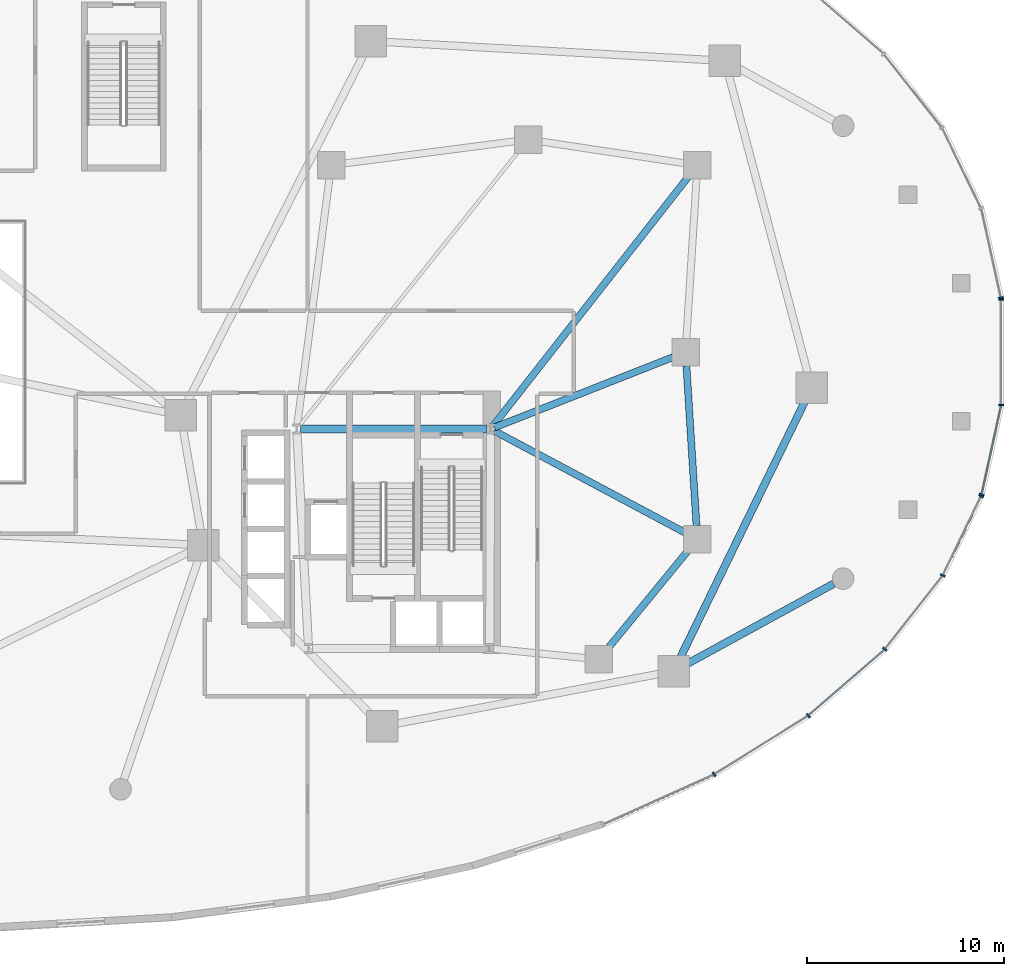
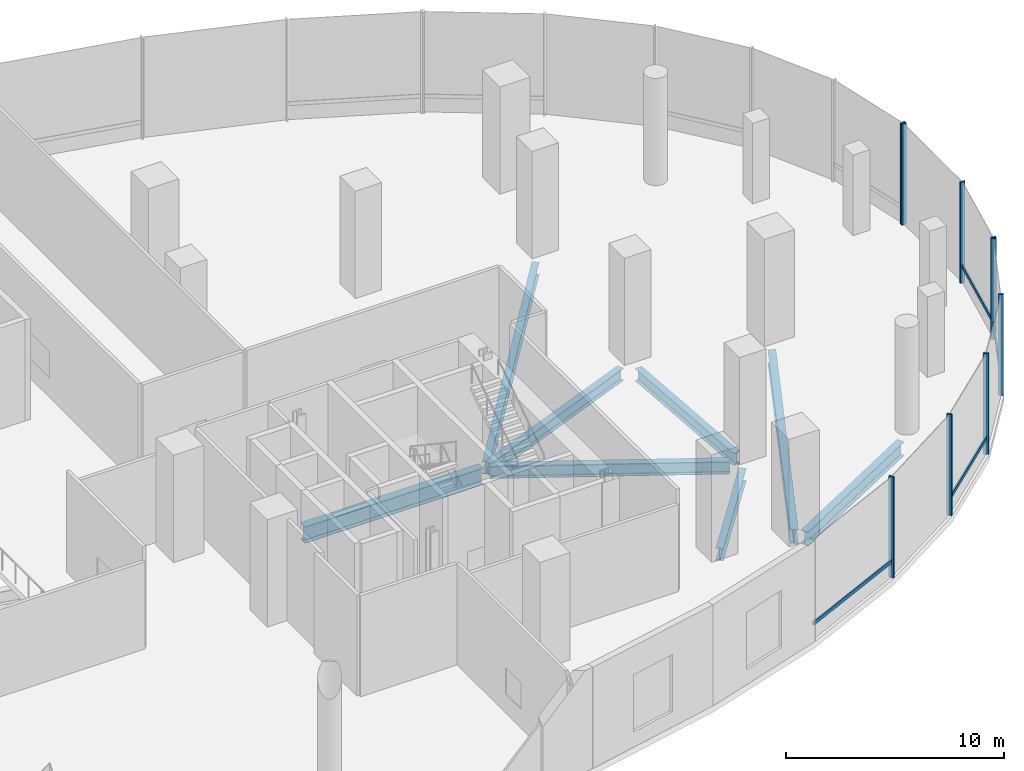
# One storey, part 8 of 20: 13 members, 8 beams, 3 elements without a shape of their own.
"""IFC4 building model written with IfcOpenShell, lengths in metres."""

from ifc_helpers import new_model, si_unit, direction, frame, origin, origin_2d, place, context, subcontext, project, spatial, rectangle, i_section, extrude, material, material_profile, profile_set, type_object, element, aggregate, save


model = new_model("IFC4")

# Units and contexts
model_context = context("Model", 3, precision=1e-05, world=origin(), true_north=direction((0.0, 1.0)))
body_context = subcontext(model_context, "Body", "Model", "MODEL_VIEW")
ifc_project = project(units=[si_unit("LENGTHUNIT", "METRE"), si_unit("AREAUNIT", "SQUARE_METRE"), si_unit("VOLUMEUNIT", "CUBIC_METRE"), si_unit("PLANEANGLEUNIT", "RADIAN"), si_unit("MASSUNIT", "GRAM", prefix="KILO"), si_unit("THERMODYNAMICTEMPERATUREUNIT", "KELVIN"), si_unit("POWERUNIT", "WATT")], contexts=[model_context])

# Site, building, storey
site_placement = place(None, origin())
site = spatial("IfcSite", under=ifc_project, at=site_placement, CompositionType="ELEMENT")
building_placement = place(site_placement, origin())
building = spatial("IfcBuilding", under=site, at=building_placement, Name="Cundina Bronze Exchange", CompositionType="ELEMENT")
storey_placement = place(building_placement, frame((0.0, 0.0, 6.0)))
storey = spatial("IfcBuildingStorey", under=building, at=storey_placement, Name="L01", CompositionType="ELEMENT", Elevation=6.0)

# Beams
ifc_material_1 = material(Name="Steel ASTM A992 Grade 50", Category="steel")
ifc_material_profile_1 = material_profile(ifc_material_1, i_section(OverallWidth=0.35498046875, OverallDepth=0.695068359375, WebThickness=0.015380859375, FlangeThickness=0.02490234375, FilletRadius=0.01806640625, at=origin_2d()), Name="W27X146", Category="steel")
ifc_profile_set_1 = profile_set([ifc_material_profile_1], Name="Steel ASTM A992 Grade 50")
beam_type_1 = type_object("IfcBeamType", Name="BM-RING-W27", PredefinedType="USERDEFINED", material=ifc_profile_set_1)
beam_1_placement = place(storey_placement, frame((37.236083984375, -15.06787109375, -0.697509765625), z_axis=(0.633941925234, 0.773380653644, 0.0), x_axis=(-0.773380653644, 0.633941925234, 0.0)))
element("IfcBeam", 1, at=beam_1_placement, inside=storey, type_object=beam_type_1, Name="L01 E Inner Structural Ring Girder 02", ObjectType="GIRDER", PredefinedType="USERDEFINED", context=body_context, shape_type="SweptSolid", body=[
    extrude(i_section(OverallWidth=0.35498046875, OverallDepth=0.695068359375, WebThickness=0.015380859375, FlangeThickness=0.02490234375, FilletRadius=0.01806640625, at=origin_2d()), origin(), (0.0, 0.0, 1.0), 6.511474609375),
])
beam_2_placement = place(storey_placement, frame((41.756591796875, -8.8134765625, -0.697509765625), z_axis=(-0.063020359641, 0.998012241544, 0.0), x_axis=(-0.998012241544, -0.063020359641, 0.0)))
element("IfcBeam", 2, at=beam_2_placement, inside=storey, type_object=beam_type_1, Name="L01 E Inner Structural Ring Girder 03", ObjectType="GIRDER", PredefinedType="USERDEFINED", context=body_context, shape_type="SweptSolid", body=[
    extrude(i_section(OverallWidth=0.35498046875, OverallDepth=0.695068359375, WebThickness=0.015380859375, FlangeThickness=0.02490234375, FilletRadius=0.01806640625, at=origin_2d()), origin(), (0.0, 0.0, 1.0), 8.14306640625),
])
beam_3_placement = place(storey_placement, frame((31.48974609375, -3.8251953125, -0.697509765625), z_axis=(0.930410463214, 0.366519262715, 0.0), x_axis=(-0.366519262715, 0.930410463214, 0.0)))
element("IfcBeam", 3, at=beam_3_placement, inside=storey, type_object=beam_type_1, Name="L01 E Core-to-Waist Tie Beam 1", ObjectType="GIRDER", PredefinedType="USERDEFINED", context=body_context, shape_type="SweptSolid", body=[
    extrude(i_section(OverallWidth=0.35498046875, OverallDepth=0.695068359375, WebThickness=0.015380859375, FlangeThickness=0.02490234375, FilletRadius=0.01806640625, at=origin_2d()), origin(), (0.0, 0.0, 1.0), 9.74853515625),
])
beam_4_placement = place(storey_placement, frame((31.47998046875, -3.99609375, -0.697509765625), z_axis=(0.882354169055, -0.470585933014, 0.0), x_axis=(0.470585933014, 0.882354169055, 0.0)))
element("IfcBeam", 4, at=beam_4_placement, inside=storey, type_object=beam_type_1, Name="L01 E Core-to-Waist Tie Beam 2", ObjectType="GIRDER", PredefinedType="USERDEFINED", context=body_context, shape_type="SweptSolid", body=[
    extrude(i_section(OverallWidth=0.35498046875, OverallDepth=0.695068359375, WebThickness=0.015380859375, FlangeThickness=0.02490234375, FilletRadius=0.01806640625, at=origin_2d()), origin(), (0.0, 0.0, 1.0), 11.0078125),
])
beam_5_placement = place(storey_placement, frame((31.42578125, -3.739501953125, -0.697509765625), z_axis=(0.616784362929, 0.787132167839, 0.0), x_axis=(-0.787132167839, 0.616784362929, 0.0)))
element("IfcBeam", 5, at=beam_5_placement, inside=storey, type_object=beam_type_1, Name="L01 E Core-to-Waist Tie Beam 3", ObjectType="GIRDER", PredefinedType="USERDEFINED", context=body_context, shape_type="SweptSolid", body=[
    extrude(i_section(OverallWidth=0.35498046875, OverallDepth=0.695068359375, WebThickness=0.015380859375, FlangeThickness=0.02490234375, FilletRadius=0.01806640625, at=origin_2d()), origin(), (0.0, 0.0, 1.0), 16.132080078125),
])
ifc_material_profile_2 = material_profile(ifc_material_1, i_section(OverallWidth=0.381103515625, OverallDepth=0.77294921875, WebThickness=0.0166015625, FlangeThickness=0.027099609375, FilletRadius=0.01904296875, at=origin_2d()), Name="W30X173", Category="steel")
ifc_profile_set_2 = profile_set([ifc_material_profile_2], Name="Steel ASTM A992 Grade 50")
beam_type_2 = type_object("IfcBeamType", Name="BM-RING-W30", PredefinedType="USERDEFINED", material=ifc_profile_set_2)
beam_6_placement = place(storey_placement, frame((48.727783203125, -11.758056640625, -0.736572265625), z_axis=(-0.877507733759, -0.479562485182, 0.0), x_axis=(0.479562485182, -0.877507733759, 0.0)))
element("IfcBeam", 6, at=beam_6_placement, inside=storey, type_object=beam_type_2, Name="L01 Podium Colonnade Tie Beam 08", ObjectType="GIRDER", PredefinedType="USERDEFINED", context=body_context, shape_type="SweptSolid", body=[
    extrude(i_section(OverallWidth=0.381103515625, OverallDepth=0.77294921875, WebThickness=0.0166015625, FlangeThickness=0.027099609375, FilletRadius=0.01904296875, at=origin_2d()), origin(), (0.0, 0.0, 1.0), 8.474365234375),
])
beam_7_placement = place(storey_placement, frame((40.944580078125, -15.4912109375, -0.736572265625), z_axis=(0.437200307007, 0.899364159589, 0.0), x_axis=(-0.899364159589, 0.437200307007, 0.0)))
element("IfcBeam", 7, at=beam_7_placement, inside=storey, type_object=beam_type_2, Name="L01 E Podium Ring Girder 06", ObjectType="GIRDER", PredefinedType="USERDEFINED", context=body_context, shape_type="SweptSolid", body=[
    extrude(i_section(OverallWidth=0.381103515625, OverallDepth=0.77294921875, WebThickness=0.0166015625, FlangeThickness=0.027099609375, FilletRadius=0.01904296875, at=origin_2d()), origin(), (0.0, 0.0, 1.0), 14.43505859375),
])
ifc_material_profile_3 = material_profile(ifc_material_1, i_section(OverallWidth=0.41796875, OverallDepth=0.927001953125, WebThickness=0.019287109375, FlangeThickness=0.031982421875, FilletRadius=0.02392578125, at=origin_2d()), Name="W36X231", Category="steel")
ifc_profile_set_3 = profile_set([ifc_material_profile_3], Name="Steel ASTM A992 Grade 50")
beam_type_3 = type_object("IfcBeamType", Name="BM-WRN-W36B", PredefinedType="USERDEFINED", material=ifc_profile_set_3)
beam_8_placement = place(storey_placement, frame((31.095947265625, -3.89990234375, -0.8134765625), z_axis=(-1.0, 0.0, 0.0), x_axis=(0.0, -1.0, 0.0)))
element("IfcBeam", 8, at=beam_8_placement, inside=storey, type_object=beam_type_3, Name="L01 E Core Perimeter Tie Girder 1", ObjectType="GIRDER", PredefinedType="USERDEFINED", context=body_context, shape_type="SweptSolid", body=[
    extrude(i_section(OverallWidth=0.41796875, OverallDepth=0.927001953125, WebThickness=0.019287109375, FlangeThickness=0.031982421875, FilletRadius=0.02392578125, at=origin_2d()), origin(), (0.0, 0.0, 1.0), 9.44189453125),
])

# Curtain wall, member
ifc_material_2 = material(Name="Anodised Bronze Aluminium 6063-T6", Category="aluminium")
curtain_wall_type = type_object("IfcCurtainWallType", Name="CWS-POD-CONC", PredefinedType="NOTDEFINED", material=ifc_material_2)
curtain_wall_1_placement = place(storey_placement, origin())
curtain_wall_1 = element("IfcCurtainWall", 9, at=curtain_wall_1_placement, inside=storey, type_object=curtain_wall_type, Name="L01 CW-01 Curtain Wall Run CWR-L01-01", PredefinedType="NOTDEFINED")
ifc_material_profile_4 = material_profile(ifc_material_2, rectangle(XDim=0.0849609375, YDim=0.25, at=origin_2d()), Name="AL85X250", Category="aluminium")
ifc_profile_set_4 = profile_set([ifc_material_profile_4], Name="Anodised Bronze Aluminium 6063-T6")
member_type_1 = type_object("IfcMemberType", Name="CWM-MUL-250", PredefinedType="MULLION", material=ifc_profile_set_4)
member_1_placement = place(storey_placement, frame((57.219482421875, 2.76708984375, 0.0), z_axis=(0.0, 0.0, 1.0), x_axis=(-0.214564862428, 0.976709741843, 0.0)))
member_1 = element("IfcMember", 10, at=member_1_placement, type_object=member_type_1, Name="CW-01 Mullion 1", PredefinedType="MULLION", context=body_context, shape_type="SweptSolid", body=[
    extrude(rectangle(XDim=0.0849609375, YDim=0.25, at=origin_2d()), origin(), (0.0, 0.0, 1.0), 5.64990234375),
])
aggregate(curtain_wall_1, [member_1])

# Curtain wall, members
curtain_wall_2_placement = place(storey_placement, origin())
curtain_wall_2 = element("IfcCurtainWall", 11, at=curtain_wall_2_placement, inside=storey, type_object=curtain_wall_type, Name="L01 CW-01 Curtain Wall Run CWR-L01-06", PredefinedType="NOTDEFINED")
member_2_placement = place(storey_placement, frame((42.654052734375, -21.4404296875, 0.0), z_axis=(0.0, 0.0, 1.0), x_axis=(0.849340400263, 0.527845511945, 0.0)))
member_2 = element("IfcMember", 12, at=member_2_placement, type_object=member_type_1, Name="CW-01 Mullion 2", PredefinedType="MULLION", context=body_context, shape_type="SweptSolid", body=[
    extrude(rectangle(XDim=0.0849609375, YDim=0.25, at=origin_2d()), origin(), (0.0, 0.0, 1.0), 5.64990234375),
])
member_3_placement = place(storey_placement, frame((47.43701171875, -18.45849609375, 0.0), z_axis=(0.0, 0.0, 1.0), x_axis=(0.755510544084, 0.6551364879, 0.0)))
member_3 = element("IfcMember", 13, at=member_3_placement, type_object=member_type_1, Name="CW-01 Mullion 3", PredefinedType="MULLION", context=body_context, shape_type="SweptSolid", body=[
    extrude(rectangle(XDim=0.0849609375, YDim=0.25, at=origin_2d()), origin(), (0.0, 0.0, 1.0), 5.64990234375),
])
member_4_placement = place(storey_placement, frame((51.320068359375, -15.08056640625, 0.0), z_axis=(0.0, 0.0, 1.0), x_axis=(0.61950505541, 0.784992666412, 0.0)))
member_4 = element("IfcMember", 14, at=member_4_placement, type_object=member_type_1, Name="CW-01 Mullion 4", PredefinedType="MULLION", context=body_context, shape_type="SweptSolid", body=[
    extrude(rectangle(XDim=0.0849609375, YDim=0.25, at=origin_2d()), origin(), (0.0, 0.0, 1.0), 5.64990234375),
])
member_5_placement = place(storey_placement, frame((54.263427734375, -11.335205078125, 0.0), z_axis=(0.0, 0.0, 1.0), x_axis=(0.435702445497, 0.900090761528, 0.0)))
member_5 = element("IfcMember", 15, at=member_5_placement, type_object=member_type_1, Name="CW-01 Mullion 5", PredefinedType="MULLION", context=body_context, shape_type="SweptSolid", body=[
    extrude(rectangle(XDim=0.0849609375, YDim=0.25, at=origin_2d()), origin(), (0.0, 0.0, 1.0), 5.64990234375),
])
member_6_placement = place(storey_placement, frame((56.211669921875, -7.311279296875, 0.0), z_axis=(0.0, 0.0, 1.0), x_axis=(0.435702445497, 0.900090761528, 0.0)))
member_6 = element("IfcMember", 16, at=member_6_placement, type_object=member_type_1, Name="CW-01 End Mullion", PredefinedType="MULLION", context=body_context, shape_type="SweptSolid", body=[
    extrude(rectangle(XDim=0.0849609375, YDim=0.25, at=origin_2d()), origin(), (0.0, 0.0, 1.0), 5.64990234375),
])

curtain_wall_3_placement = place(storey_placement, origin())
curtain_wall_3 = element("IfcCurtainWall", 17, at=curtain_wall_3_placement, inside=storey, type_object=curtain_wall_type, Name="L01 CW-01 Curtain Wall Run CWR-L01-07", PredefinedType="NOTDEFINED")
member_7_placement = place(storey_placement, frame((56.239013671875, -7.231689453125, 0.0), z_axis=(0.0, 0.0, 1.0), x_axis=(0.214564862428, 0.976709741843, 0.0)))
member_7 = element("IfcMember", 18, at=member_7_placement, type_object=member_type_1, Name="CW-01 Mullion 1", PredefinedType="MULLION", context=body_context, shape_type="SweptSolid", body=[
    extrude(rectangle(XDim=0.0849609375, YDim=0.25, at=origin_2d()), origin(), (0.0, 0.0, 1.0), 5.64990234375),
])
member_8_placement = place(storey_placement, frame((57.22900390625, -2.680419921875, 0.0), z_axis=(0.0, 0.0, 1.0), x_axis=(0.0, 1.0, 0.0)))
member_8 = element("IfcMember", 19, at=member_8_placement, type_object=member_type_1, Name="CW-01 Mullion 2", PredefinedType="MULLION", context=body_context, shape_type="SweptSolid", body=[
    extrude(rectangle(XDim=0.0849609375, YDim=0.25, at=origin_2d()), origin(), (0.0, 0.0, 1.0), 5.64990234375),
])
member_9_placement = place(storey_placement, frame((57.22900390625, 2.680419921875, 0.0), z_axis=(0.0, 0.0, 1.0), x_axis=(0.0, 1.0, 0.0)))
member_9 = element("IfcMember", 20, at=member_9_placement, type_object=member_type_1, Name="CW-01 End Mullion", PredefinedType="MULLION", context=body_context, shape_type="SweptSolid", body=[
    extrude(rectangle(XDim=0.0849609375, YDim=0.25, at=origin_2d()), origin(), (0.0, 0.0, 1.0), 5.64990234375),
])

# Member
ifc_material_profile_5 = material_profile(ifc_material_2, rectangle(XDim=0.080078125, YDim=0.2099609375, at=origin_2d()), Name="AL80X210", Category="aluminium")
ifc_profile_set_5 = profile_set([ifc_material_profile_5], Name="Anodised Bronze Aluminium 6063-T6")
member_type_2 = type_object("IfcMemberType", Name="CWM-TRN-210", PredefinedType="USERDEFINED", material=ifc_profile_set_5)
member_10_placement = place(storey_placement, frame((37.056396484375, -23.97119140625, 0.919921875), z_axis=(0.911641535198, 0.410986266561, 0.0), x_axis=(-0.410986266561, 0.911641535198, 0.0)))
member_10 = element("IfcMember", 21, at=member_10_placement, type_object=member_type_2, Name="CW-01 Spandrel Transom 1", ObjectType="TRANSOM", PredefinedType="USERDEFINED", context=body_context, shape_type="SweptSolid", body=[
    extrude(rectangle(XDim=0.080078125, YDim=0.2099609375, at=origin_2d()), origin(), (0.0, 0.0, 1.0), 6.090576171875),
])

member_11_placement = place(storey_placement, frame((47.472412109375, -18.427734375, 0.919921875), z_axis=(0.755563201238, 0.655075758164, 0.0), x_axis=(-0.655075758164, 0.755563201238, 0.0)))
member_11 = element("IfcMember", 22, at=member_11_placement, type_object=member_type_2, Name="CW-01 Spandrel Transom 3", ObjectType="TRANSOM", PredefinedType="USERDEFINED", context=body_context, shape_type="SweptSolid", body=[
    extrude(rectangle(XDim=0.080078125, YDim=0.2099609375, at=origin_2d()), origin(), (0.0, 0.0, 1.0), 5.055908203125),
])

member_12_placement = place(storey_placement, frame((54.28369140625, -11.293212890625, 0.919921875), z_axis=(0.435776682523, 0.900054822202, 0.0), x_axis=(-0.900054822202, 0.435776682523, 0.0)))
member_12 = element("IfcMember", 23, at=member_12_placement, type_object=member_type_2, Name="CW-01 Spandrel Transom 5", ObjectType="TRANSOM", PredefinedType="USERDEFINED", context=body_context, shape_type="SweptSolid", body=[
    extrude(rectangle(XDim=0.080078125, YDim=0.2099609375, at=origin_2d()), origin(), (0.0, 0.0, 1.0), 4.377197265625),
])

aggregate(curtain_wall_2, [member_10, member_2, member_3, member_11, member_4, member_5, member_6, member_12])

member_13_placement = place(storey_placement, frame((56.249267578125, -7.18603515625, 0.919921875), z_axis=(0.214447065297, 0.976735612224, 0.0), x_axis=(-0.976735612224, 0.214447065297, 0.0)))
member_13 = element("IfcMember", 24, at=member_13_placement, type_object=member_type_2, Name="CW-01 Spandrel Transom 1", ObjectType="TRANSOM", PredefinedType="USERDEFINED", context=body_context, shape_type="SweptSolid", body=[
    extrude(rectangle(XDim=0.080078125, YDim=0.2099609375, at=origin_2d()), origin(), (0.0, 0.0, 1.0), 4.571044921875),
])

aggregate(curtain_wall_3, [member_7, member_13, member_8, member_9])

save(model, "model.ifc")
